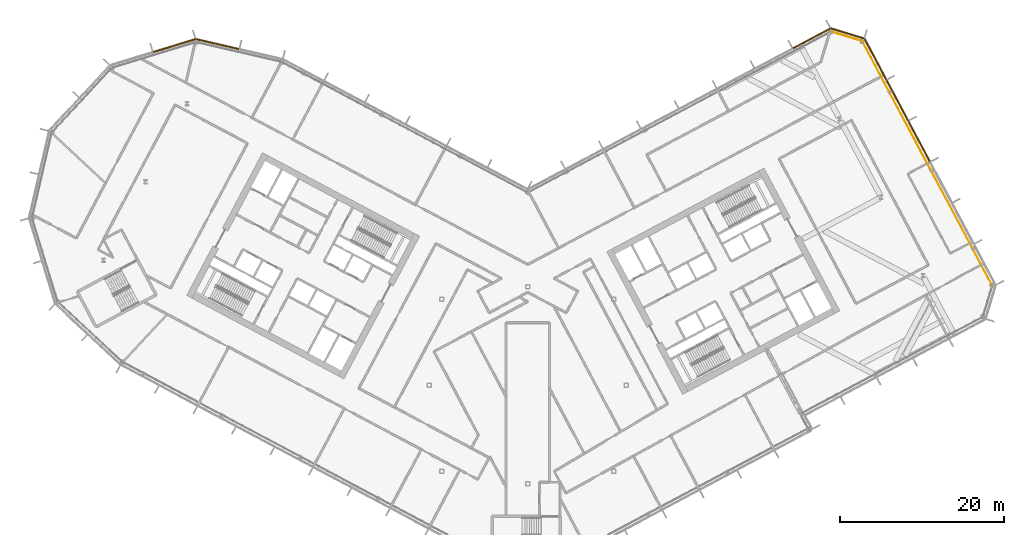
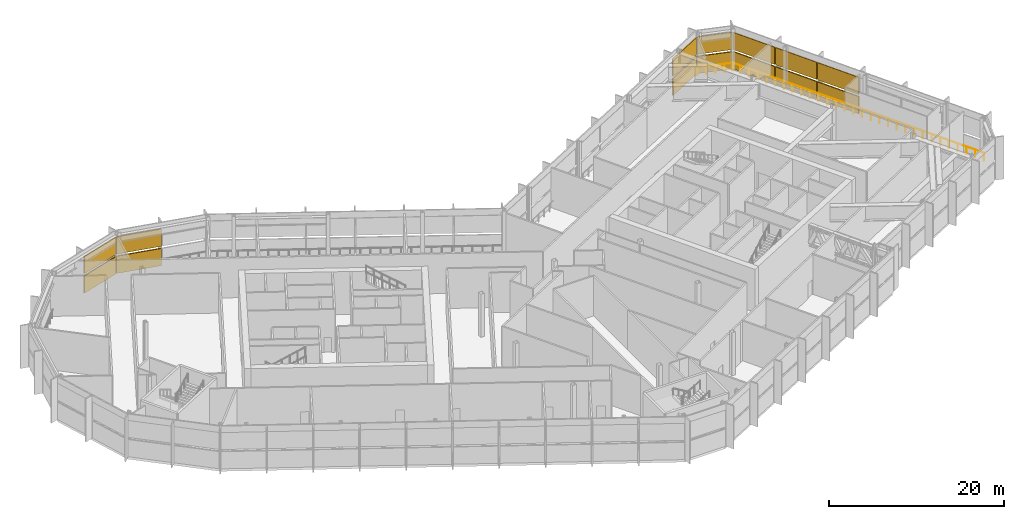
# One storey, part 33 of 33: 14 shading devices, 2 railings, 5 elements without a shape of their own.
"""IFC4 building model written with IfcOpenShell, lengths in metres."""

from ifc_helpers import new_model, si_unit, direction, frame, origin, origin_2d, place, context, subcontext, project, spatial, polyline, rectangle, outline, extrude, material, layer, layer_set, type_object, element, aggregate, save


model = new_model("IFC4")

# Units and contexts
model_context = context("Model", 3, precision=1e-05, world=origin(), true_north=direction((0.0, 1.0)))
body_context = subcontext(model_context, "Body", "Model", "MODEL_VIEW")
ifc_project = project(units=[si_unit("LENGTHUNIT", "METRE"), si_unit("AREAUNIT", "SQUARE_METRE"), si_unit("VOLUMEUNIT", "CUBIC_METRE"), si_unit("PLANEANGLEUNIT", "RADIAN"), si_unit("MASSUNIT", "GRAM", prefix="KILO")], contexts=[model_context])

# Site, building, storey
site_placement = place(None, origin())
site = spatial("IfcSite", under=ifc_project, at=site_placement, CompositionType="ELEMENT")
building_placement = place(site_placement, origin())
building = spatial("IfcBuilding", under=site, at=building_placement, Name="Cormorant Relay Tower", CompositionType="ELEMENT")
storey_placement = place(building_placement, frame((0.0, 0.0, 183.60009765625)))
storey = spatial("IfcBuildingStorey", under=building, at=storey_placement, Name="L39", CompositionType="ELEMENT", Elevation=183.60009765625)

# Railings
ifc_material_1 = material(Name="Stainless steel 316 guard", Category="steel")
railing_type = type_object("IfcRailingType", Name="Band louvre guard 1100", PredefinedType="GUARDRAIL", material=ifc_material_1)
railing_1_placement = place(storey_placement, frame((56.691650390625, 12.0224609375, 0.0)))
element("IfcRailing", 1, at=railing_1_placement, inside=storey, type_object=railing_type, Name="CW4 guard 6", PredefinedType="GUARDRAIL", context=body_context, shape_type="SweptSolid", body=[
    extrude(outline(polyline([(0.022216796875, 0.00927734375), (0.00927734375, 0.022216796875), (-0.00927734375, 0.022216796875), (-0.022216796875, 0.00927734375), (-0.022216796875, -0.00927734375), (-0.00927734375, -0.022216796875), (0.00927734375, -0.022216796875), (0.022216796875, -0.00927734375), (0.022216796875, 0.00927734375)])), frame((0.0, 0.0, 1.076171875), z_axis=(-0.469471254134, 0.882947756972, 0.0), x_axis=(-0.882947756972, -0.469471254134, 0.0)), (0.0, 0.0, 1.0), 33.999755859375),
    extrude(outline(polyline([(0.019287109375, 0.008056640625), (0.008056640625, 0.019287109375), (-0.008056640625, 0.019287109375), (-0.019287109375, 0.008056640625), (-0.019287109375, -0.008056640625), (-0.008056640625, -0.019287109375), (0.008056640625, -0.019287109375), (0.019287109375, -0.008056640625), (0.019287109375, 0.008056640625)])), origin(), (0.0, 0.0, 1.0), 1.052001953125),
    extrude(outline(polyline([(0.019287109375, 0.008056640625), (0.008056640625, 0.019287109375), (-0.008056640625, 0.019287109375), (-0.019287109375, 0.008056640625), (-0.019287109375, -0.008056640625), (-0.008056640625, -0.019287109375), (0.008056640625, -0.019287109375), (0.019287109375, -0.008056640625), (0.019287109375, 0.008056640625)])), frame((-0.55029296875, 1.03515625, 0.0)), (0.0, 0.0, 1.0), 1.052001953125),
    extrude(outline(polyline([(0.019287109375, 0.008056640625), (0.008056640625, 0.019287109375), (-0.008056640625, 0.019287109375), (-0.019287109375, 0.008056640625), (-0.019287109375, -0.008056640625), (-0.008056640625, -0.019287109375), (0.008056640625, -0.019287109375), (0.019287109375, -0.008056640625), (0.019287109375, 0.008056640625)])), frame((-1.100830078125, 2.0703125, 0.0)), (0.0, 0.0, 1.0), 1.052001953125),
    extrude(outline(polyline([(0.019287109375, 0.008056640625), (0.008056640625, 0.019287109375), (-0.008056640625, 0.019287109375), (-0.019287109375, 0.008056640625), (-0.019287109375, -0.008056640625), (-0.008056640625, -0.019287109375), (0.008056640625, -0.019287109375), (0.019287109375, -0.008056640625), (0.019287109375, 0.008056640625)])), frame((-1.651123046875, 3.10546875, 0.0)), (0.0, 0.0, 1.0), 1.052001953125),
    extrude(outline(polyline([(0.019287109375, 0.008056640625), (0.008056640625, 0.019287109375), (-0.008056640625, 0.019287109375), (-0.019287109375, 0.008056640625), (-0.019287109375, -0.008056640625), (-0.008056640625, -0.019287109375), (0.008056640625, -0.019287109375), (0.019287109375, -0.008056640625), (0.019287109375, 0.008056640625)])), frame((-2.20166015625, 4.140625, 0.0)), (0.0, 0.0, 1.0), 1.052001953125),
    extrude(outline(polyline([(0.019287109375, 0.008056640625), (0.008056640625, 0.019287109375), (-0.008056640625, 0.019287109375), (-0.019287109375, 0.008056640625), (-0.019287109375, -0.008056640625), (-0.008056640625, -0.019287109375), (0.008056640625, -0.019287109375), (0.019287109375, -0.008056640625), (0.019287109375, 0.008056640625)])), frame((-2.751953125, 5.17578125, 0.0)), (0.0, 0.0, 1.0), 1.052001953125),
    extrude(outline(polyline([(0.019287109375, 0.008056640625), (0.008056640625, 0.019287109375), (-0.008056640625, 0.019287109375), (-0.019287109375, 0.008056640625), (-0.019287109375, -0.008056640625), (-0.008056640625, -0.019287109375), (0.008056640625, -0.019287109375), (0.019287109375, -0.008056640625), (0.019287109375, 0.008056640625)])), frame((-3.302490234375, 6.2109375, 0.0)), (0.0, 0.0, 1.0), 1.052001953125),
    extrude(outline(polyline([(0.019287109375, 0.008056640625), (0.008056640625, 0.019287109375), (-0.008056640625, 0.019287109375), (-0.019287109375, 0.008056640625), (-0.019287109375, -0.008056640625), (-0.008056640625, -0.019287109375), (0.008056640625, -0.019287109375), (0.019287109375, -0.008056640625), (0.019287109375, 0.008056640625)])), frame((-3.852783203125, 7.24609375, 0.0)), (0.0, 0.0, 1.0), 1.052001953125),
    extrude(outline(polyline([(0.019287109375, 0.008056640625), (0.008056640625, 0.019287109375), (-0.008056640625, 0.019287109375), (-0.019287109375, 0.008056640625), (-0.019287109375, -0.008056640625), (-0.008056640625, -0.019287109375), (0.008056640625, -0.019287109375), (0.019287109375, -0.008056640625), (0.019287109375, 0.008056640625)])), frame((-4.4033203125, 8.281494140625, 0.0)), (0.0, 0.0, 1.0), 1.052001953125),
    extrude(outline(polyline([(0.019287109375, 0.008056640625), (0.008056640625, 0.019287109375), (-0.008056640625, 0.019287109375), (-0.019287109375, 0.008056640625), (-0.019287109375, -0.008056640625), (-0.008056640625, -0.019287109375), (0.008056640625, -0.019287109375), (0.019287109375, -0.008056640625), (0.019287109375, 0.008056640625)])), frame((-4.95361328125, 9.316650390625, 0.0)), (0.0, 0.0, 1.0), 1.052001953125),
    extrude(outline(polyline([(0.019287109375, 0.008056640625), (0.008056640625, 0.019287109375), (-0.008056640625, 0.019287109375), (-0.019287109375, 0.008056640625), (-0.019287109375, -0.008056640625), (-0.008056640625, -0.019287109375), (0.008056640625, -0.019287109375), (0.019287109375, -0.008056640625), (0.019287109375, 0.008056640625)])), frame((-5.504150390625, 10.351806640625, 0.0)), (0.0, 0.0, 1.0), 1.052001953125),
    extrude(outline(polyline([(0.019287109375, 0.008056640625), (0.008056640625, 0.019287109375), (-0.008056640625, 0.019287109375), (-0.019287109375, 0.008056640625), (-0.019287109375, -0.008056640625), (-0.008056640625, -0.019287109375), (0.008056640625, -0.019287109375), (0.019287109375, -0.008056640625), (0.019287109375, 0.008056640625)])), frame((-6.054443359375, 11.386962890625, 0.0)), (0.0, 0.0, 1.0), 1.052001953125),
    extrude(outline(polyline([(0.019287109375, 0.008056640625), (0.008056640625, 0.019287109375), (-0.008056640625, 0.019287109375), (-0.019287109375, 0.008056640625), (-0.019287109375, -0.008056640625), (-0.008056640625, -0.019287109375), (0.008056640625, -0.019287109375), (0.019287109375, -0.008056640625), (0.019287109375, 0.008056640625)])), frame((-6.60498046875, 12.422119140625, 0.0)), (0.0, 0.0, 1.0), 1.052001953125),
    extrude(outline(polyline([(0.019287109375, 0.008056640625), (0.008056640625, 0.019287109375), (-0.008056640625, 0.019287109375), (-0.019287109375, 0.008056640625), (-0.019287109375, -0.008056640625), (-0.008056640625, -0.019287109375), (0.008056640625, -0.019287109375), (0.019287109375, -0.008056640625), (0.019287109375, 0.008056640625)])), frame((-7.1552734375, 13.457275390625, 0.0)), (0.0, 0.0, 1.0), 1.052001953125),
    extrude(outline(polyline([(0.019287109375, 0.008056640625), (0.008056640625, 0.019287109375), (-0.008056640625, 0.019287109375), (-0.019287109375, 0.008056640625), (-0.019287109375, -0.008056640625), (-0.008056640625, -0.019287109375), (0.008056640625, -0.019287109375), (0.019287109375, -0.008056640625), (0.019287109375, 0.008056640625)])), frame((-7.705810546875, 14.492431640625, 0.0)), (0.0, 0.0, 1.0), 1.052001953125),
    extrude(outline(polyline([(0.019287109375, 0.008056640625), (0.008056640625, 0.019287109375), (-0.008056640625, 0.019287109375), (-0.019287109375, 0.008056640625), (-0.019287109375, -0.008056640625), (-0.008056640625, -0.019287109375), (0.008056640625, -0.019287109375), (0.019287109375, -0.008056640625), (0.019287109375, 0.008056640625)])), frame((-8.256103515625, 15.527587890625, 0.0)), (0.0, 0.0, 1.0), 1.052001953125),
    extrude(outline(polyline([(0.019287109375, 0.008056640625), (0.008056640625, 0.019287109375), (-0.008056640625, 0.019287109375), (-0.019287109375, 0.008056640625), (-0.019287109375, -0.008056640625), (-0.008056640625, -0.019287109375), (0.008056640625, -0.019287109375), (0.019287109375, -0.008056640625), (0.019287109375, 0.008056640625)])), frame((-8.806640625, 16.562744140625, 0.0)), (0.0, 0.0, 1.0), 1.052001953125),
    extrude(outline(polyline([(0.019287109375, 0.008056640625), (0.008056640625, 0.019287109375), (-0.008056640625, 0.019287109375), (-0.019287109375, 0.008056640625), (-0.019287109375, -0.008056640625), (-0.008056640625, -0.019287109375), (0.008056640625, -0.019287109375), (0.019287109375, -0.008056640625), (0.019287109375, 0.008056640625)])), frame((-9.35693359375, 17.597900390625, 0.0)), (0.0, 0.0, 1.0), 1.052001953125),
    extrude(outline(polyline([(0.019287109375, 0.008056640625), (0.008056640625, 0.019287109375), (-0.008056640625, 0.019287109375), (-0.019287109375, 0.008056640625), (-0.019287109375, -0.008056640625), (-0.008056640625, -0.019287109375), (0.008056640625, -0.019287109375), (0.019287109375, -0.008056640625), (0.019287109375, 0.008056640625)])), frame((-9.907470703125, 18.633056640625, 0.0)), (0.0, 0.0, 1.0), 1.052001953125),
    extrude(outline(polyline([(0.019287109375, 0.008056640625), (0.008056640625, 0.019287109375), (-0.008056640625, 0.019287109375), (-0.019287109375, 0.008056640625), (-0.019287109375, -0.008056640625), (-0.008056640625, -0.019287109375), (0.008056640625, -0.019287109375), (0.019287109375, -0.008056640625), (0.019287109375, 0.008056640625)])), frame((-10.457763671875, 19.668212890625, 0.0)), (0.0, 0.0, 1.0), 1.052001953125),
    extrude(outline(polyline([(0.019287109375, 0.008056640625), (0.008056640625, 0.019287109375), (-0.008056640625, 0.019287109375), (-0.019287109375, 0.008056640625), (-0.019287109375, -0.008056640625), (-0.008056640625, -0.019287109375), (0.008056640625, -0.019287109375), (0.019287109375, -0.008056640625), (0.019287109375, 0.008056640625)])), frame((-11.00830078125, 20.703369140625, 0.0)), (0.0, 0.0, 1.0), 1.052001953125),
    extrude(outline(polyline([(0.019287109375, 0.008056640625), (0.008056640625, 0.019287109375), (-0.008056640625, 0.019287109375), (-0.019287109375, 0.008056640625), (-0.019287109375, -0.008056640625), (-0.008056640625, -0.019287109375), (0.008056640625, -0.019287109375), (0.019287109375, -0.008056640625), (0.019287109375, 0.008056640625)])), frame((-11.55859375, 21.738525390625, 0.0)), (0.0, 0.0, 1.0), 1.052001953125),
    extrude(outline(polyline([(0.019287109375, 0.008056640625), (0.008056640625, 0.019287109375), (-0.008056640625, 0.019287109375), (-0.019287109375, 0.008056640625), (-0.019287109375, -0.008056640625), (-0.008056640625, -0.019287109375), (0.008056640625, -0.019287109375), (0.019287109375, -0.008056640625), (0.019287109375, 0.008056640625)])), frame((-12.109130859375, 22.77392578125, 0.0)), (0.0, 0.0, 1.0), 1.052001953125),
    extrude(outline(polyline([(0.019287109375, 0.008056640625), (0.008056640625, 0.019287109375), (-0.008056640625, 0.019287109375), (-0.019287109375, 0.008056640625), (-0.019287109375, -0.008056640625), (-0.008056640625, -0.019287109375), (0.008056640625, -0.019287109375), (0.019287109375, -0.008056640625), (0.019287109375, 0.008056640625)])), frame((-12.659423828125, 23.80908203125, 0.0)), (0.0, 0.0, 1.0), 1.052001953125),
    extrude(outline(polyline([(0.019287109375, 0.008056640625), (0.008056640625, 0.019287109375), (-0.008056640625, 0.019287109375), (-0.019287109375, 0.008056640625), (-0.019287109375, -0.008056640625), (-0.008056640625, -0.019287109375), (0.008056640625, -0.019287109375), (0.019287109375, -0.008056640625), (0.019287109375, 0.008056640625)])), frame((-13.2099609375, 24.84423828125, 0.0)), (0.0, 0.0, 1.0), 1.052001953125),
    extrude(outline(polyline([(0.019287109375, 0.008056640625), (0.008056640625, 0.019287109375), (-0.008056640625, 0.019287109375), (-0.019287109375, 0.008056640625), (-0.019287109375, -0.008056640625), (-0.008056640625, -0.019287109375), (0.008056640625, -0.019287109375), (0.019287109375, -0.008056640625), (0.019287109375, 0.008056640625)])), frame((-13.76025390625, 25.87939453125, 0.0)), (0.0, 0.0, 1.0), 1.052001953125),
    extrude(outline(polyline([(0.019287109375, 0.008056640625), (0.008056640625, 0.019287109375), (-0.008056640625, 0.019287109375), (-0.019287109375, 0.008056640625), (-0.019287109375, -0.008056640625), (-0.008056640625, -0.019287109375), (0.008056640625, -0.019287109375), (0.019287109375, -0.008056640625), (0.019287109375, 0.008056640625)])), frame((-14.310791015625, 26.91455078125, 0.0)), (0.0, 0.0, 1.0), 1.052001953125),
    extrude(outline(polyline([(0.019287109375, 0.008056640625), (0.008056640625, 0.019287109375), (-0.008056640625, 0.019287109375), (-0.019287109375, 0.008056640625), (-0.019287109375, -0.008056640625), (-0.008056640625, -0.019287109375), (0.008056640625, -0.019287109375), (0.019287109375, -0.008056640625), (0.019287109375, 0.008056640625)])), frame((-14.861083984375, 27.94970703125, 0.0)), (0.0, 0.0, 1.0), 1.052001953125),
    extrude(outline(polyline([(0.019287109375, 0.008056640625), (0.008056640625, 0.019287109375), (-0.008056640625, 0.019287109375), (-0.019287109375, 0.008056640625), (-0.019287109375, -0.008056640625), (-0.008056640625, -0.019287109375), (0.008056640625, -0.019287109375), (0.019287109375, -0.008056640625), (0.019287109375, 0.008056640625)])), frame((-15.41162109375, 28.98486328125, 0.0)), (0.0, 0.0, 1.0), 1.052001953125),
    extrude(outline(polyline([(0.019287109375, 0.008056640625), (0.008056640625, 0.019287109375), (-0.008056640625, 0.019287109375), (-0.019287109375, 0.008056640625), (-0.019287109375, -0.008056640625), (-0.008056640625, -0.019287109375), (0.008056640625, -0.019287109375), (0.019287109375, -0.008056640625), (0.019287109375, 0.008056640625)])), frame((-15.9619140625, 30.02001953125, 0.0)), (0.0, 0.0, 1.0), 1.052001953125),
])
railing_2_placement = place(storey_placement, frame((40.906982421875, 41.896484375, 0.0)))
element("IfcRailing", 2, at=railing_2_placement, inside=storey, type_object=railing_type, Name="CW4 guard 7", PredefinedType="GUARDRAIL", context=body_context, shape_type="SweptSolid", body=[
    extrude(outline(polyline([(0.022216796875, 0.00927734375), (0.00927734375, 0.022216796875), (-0.00927734375, 0.022216796875), (-0.022216796875, 0.00927734375), (-0.022216796875, -0.00927734375), (-0.00927734375, -0.022216796875), (0.00927734375, -0.022216796875), (0.022216796875, -0.00927734375), (0.022216796875, 0.00927734375)])), frame((0.0, 0.0, 1.076171875), z_axis=(-0.956303761594, 0.292374957137, 0.0), x_axis=(-0.292374957137, -0.956303761594, 0.0)), (0.0, 0.0, 1.0), 4.24267578125),
    extrude(outline(polyline([(0.019287109375, 0.008056640625), (0.008056640625, 0.019287109375), (-0.008056640625, 0.019287109375), (-0.019287109375, 0.008056640625), (-0.019287109375, -0.008056640625), (-0.008056640625, -0.019287109375), (0.008056640625, -0.019287109375), (0.019287109375, -0.008056640625), (0.019287109375, 0.008056640625)])), origin(), (0.0, 0.0, 1.0), 1.052001953125),
    extrude(outline(polyline([(0.019287109375, 0.008056640625), (0.008056640625, 0.019287109375), (-0.008056640625, 0.019287109375), (-0.019287109375, 0.008056640625), (-0.019287109375, -0.008056640625), (-0.008056640625, -0.019287109375), (0.008056640625, -0.019287109375), (0.019287109375, -0.008056640625), (0.019287109375, 0.008056640625)])), frame((-1.014404296875, 0.31005859375, 0.0)), (0.0, 0.0, 1.0), 1.052001953125),
    extrude(outline(polyline([(0.019287109375, 0.008056640625), (0.008056640625, 0.019287109375), (-0.008056640625, 0.019287109375), (-0.019287109375, 0.008056640625), (-0.019287109375, -0.008056640625), (-0.008056640625, -0.019287109375), (0.008056640625, -0.019287109375), (0.019287109375, -0.008056640625), (0.019287109375, 0.008056640625)])), frame((-2.02880859375, 0.6201171875, 0.0)), (0.0, 0.0, 1.0), 1.052001953125),
    extrude(outline(polyline([(0.019287109375, 0.008056640625), (0.008056640625, 0.019287109375), (-0.008056640625, 0.019287109375), (-0.019287109375, 0.008056640625), (-0.019287109375, -0.008056640625), (-0.008056640625, -0.019287109375), (0.008056640625, -0.019287109375), (0.019287109375, -0.008056640625), (0.019287109375, 0.008056640625)])), frame((-3.04296875, 0.930419921875, 0.0)), (0.0, 0.0, 1.0), 1.052001953125),
    extrude(outline(polyline([(0.019287109375, 0.008056640625), (0.008056640625, 0.019287109375), (-0.008056640625, 0.019287109375), (-0.019287109375, 0.008056640625), (-0.019287109375, -0.008056640625), (-0.008056640625, -0.019287109375), (0.008056640625, -0.019287109375), (0.019287109375, -0.008056640625), (0.019287109375, 0.008056640625)])), frame((-4.057373046875, 1.240478515625, 0.0)), (0.0, 0.0, 1.0), 1.052001953125),
])

# Curtain wall, shading devices
ifc_material_2 = material(Name="Aluminium 6063-T6 anodised bronze", Category="aluminium")
ifc_layer = layer(ifc_material_2, 0.199951171875)
ifc_layer_set = layer_set([ifc_layer], Name="CW4 band louvre wall")
curtain_wall_type = type_object("IfcCurtainWallType", Name="CW4 band louvre wall", PredefinedType="NOTDEFINED", material=ifc_layer_set)
curtain_wall_1_placement = place(storey_placement, origin())
curtain_wall_1 = element("IfcCurtainWall", 3, at=curtain_wall_1_placement, inside=storey, type_object=curtain_wall_type, Name="CW4 curtain wall 6", PredefinedType="NOTDEFINED")
ifc_material_3 = material(Name="Aluminium 6063-T6 anodised bronze louvre", Category="aluminium")
shading_device_type = type_object("IfcShadingDeviceType", Name="CW4 bronze louvre bank 150 x 2400", PredefinedType="USERDEFINED", material=ifc_material_3)
shading_device_1_placement = place(storey_placement, frame((47.711669921875, 29.710205078125, 2.699951171875), z_axis=(0.0, 0.0, 1.0), x_axis=(-0.469471562786, 0.882947592859, 0.0)))
shading_device_1 = element("IfcShadingDevice", 4, at=shading_device_1_placement, type_object=shading_device_type, Name="CW4 louvre bank U6.4", ObjectType="LOUVRE", PredefinedType="USERDEFINED", context=body_context, shape_type="SweptSolid", body=[
    extrude(rectangle(XDim=5.5166015625, YDim=0.14990234375, at=origin_2d()), origin(), (0.0, 0.0, 1.0), 2.39990234375),
])
shading_device_2_placement = place(storey_placement, frame((47.711669921875, 29.710205078125, 0.0), z_axis=(0.0, 0.0, 1.0), x_axis=(-0.469471562786, 0.882947592859, 0.0)))
shading_device_2 = element("IfcShadingDevice", 5, at=shading_device_2_placement, type_object=shading_device_type, Name="CW4 louvre bank D6.4", ObjectType="LOUVRE", PredefinedType="USERDEFINED", context=body_context, shape_type="SweptSolid", body=[
    extrude(rectangle(XDim=5.5166015625, YDim=0.14990234375, at=origin_2d()), origin(), (0.0, 0.0, 1.0), 2.39990234375),
])
shading_device_3_placement = place(storey_placement, frame((45.05126953125, 34.713623046875, 2.699951171875), z_axis=(0.0, 0.0, 1.0), x_axis=(-0.469471562786, 0.882947592859, 0.0)))
shading_device_3 = element("IfcShadingDevice", 6, at=shading_device_3_placement, type_object=shading_device_type, Name="CW4 louvre bank U6.5", ObjectType="LOUVRE", PredefinedType="USERDEFINED", context=body_context, shape_type="SweptSolid", body=[
    extrude(rectangle(XDim=5.5166015625, YDim=0.14990234375, at=origin_2d()), origin(), (0.0, 0.0, 1.0), 2.39990234375),
])
shading_device_4_placement = place(storey_placement, frame((45.05126953125, 34.713623046875, 0.0), z_axis=(0.0, 0.0, 1.0), x_axis=(-0.469471562786, 0.882947592859, 0.0)))
shading_device_4 = element("IfcShadingDevice", 7, at=shading_device_4_placement, type_object=shading_device_type, Name="CW4 louvre bank D6.5", ObjectType="LOUVRE", PredefinedType="USERDEFINED", context=body_context, shape_type="SweptSolid", body=[
    extrude(rectangle(XDim=5.5166015625, YDim=0.14990234375, at=origin_2d()), origin(), (0.0, 0.0, 1.0), 2.39990234375),
])
shading_device_5_placement = place(storey_placement, frame((42.373291015625, 39.75, 2.699951171875), z_axis=(0.0, 0.0, 1.0), x_axis=(-0.469471562786, 0.882947592859, 0.0)))
shading_device_5 = element("IfcShadingDevice", 8, at=shading_device_5_placement, type_object=shading_device_type, Name="CW4 louvre bank U6.6", ObjectType="LOUVRE", PredefinedType="USERDEFINED", context=body_context, shape_type="SweptSolid", body=[
    extrude(rectangle(XDim=5.591796875, YDim=0.14990234375, at=origin_2d()), origin(), (0.0, 0.0, 1.0), 2.39990234375),
])
shading_device_6_placement = place(storey_placement, frame((42.373291015625, 39.75, 0.0), z_axis=(0.0, 0.0, 1.0), x_axis=(-0.469471562786, 0.882947592859, 0.0)))
shading_device_6 = element("IfcShadingDevice", 9, at=shading_device_6_placement, type_object=shading_device_type, Name="CW4 louvre bank D6.6", ObjectType="LOUVRE", PredefinedType="USERDEFINED", context=body_context, shape_type="SweptSolid", body=[
    extrude(rectangle(XDim=5.591796875, YDim=0.14990234375, at=origin_2d()), origin(), (0.0, 0.0, 1.0), 2.39990234375),
])
aggregate(curtain_wall_1, [shading_device_1, shading_device_2, shading_device_3, shading_device_4, shading_device_5, shading_device_6])

curtain_wall_2_placement = place(storey_placement, origin())
curtain_wall_2 = element("IfcCurtainWall", 10, at=curtain_wall_2_placement, inside=storey, type_object=curtain_wall_type, Name="CW4 curtain wall 7", PredefinedType="NOTDEFINED")
shading_device_7_placement = place(storey_placement, frame((38.951904296875, 42.886474609375, 2.699951171875), z_axis=(0.0, 0.0, 1.0), x_axis=(-0.956304755963, 0.292371704723, 0.0)))
shading_device_7 = element("IfcShadingDevice", 11, at=shading_device_7_placement, type_object=shading_device_type, Name="CW4 louvre bank U7.1", ObjectType="LOUVRE", PredefinedType="USERDEFINED", context=body_context, shape_type="SweptSolid", body=[
    extrude(rectangle(XDim=4.16748046875, YDim=0.14990234375, at=origin_2d()), origin(), (0.0, 0.0, 1.0), 2.39990234375),
])
shading_device_8_placement = place(storey_placement, frame((38.951904296875, 42.886474609375, 0.0), z_axis=(0.0, 0.0, 1.0), x_axis=(-0.956304755963, 0.292371704723, 0.0)))
shading_device_8 = element("IfcShadingDevice", 12, at=shading_device_8_placement, type_object=shading_device_type, Name="CW4 louvre bank D7.1", ObjectType="LOUVRE", PredefinedType="USERDEFINED", context=body_context, shape_type="SweptSolid", body=[
    extrude(rectangle(XDim=4.16748046875, YDim=0.14990234375, at=origin_2d()), origin(), (0.0, 0.0, 1.0), 2.39990234375),
])
aggregate(curtain_wall_2, [shading_device_7, shading_device_8])

curtain_wall_3_placement = place(storey_placement, origin())
curtain_wall_3 = element("IfcCurtainWall", 13, at=curtain_wall_3_placement, inside=storey, type_object=curtain_wall_type, Name="CW4 curtain wall 8", PredefinedType="NOTDEFINED")
shading_device_9_placement = place(storey_placement, frame((34.593505859375, 42.2626953125, 2.699951171875), z_axis=(0.0, 0.0, 1.0), x_axis=(-0.882947592859, -0.469471562786, 0.0)))
shading_device_9 = element("IfcShadingDevice", 14, at=shading_device_9_placement, type_object=shading_device_type, Name="CW4 louvre bank U8.1", ObjectType="LOUVRE", PredefinedType="USERDEFINED", context=body_context, shape_type="SweptSolid", body=[
    extrude(rectangle(XDim=5.079345703125, YDim=0.14990234375, at=origin_2d()), origin(), (0.0, 0.0, 1.0), 2.39990234375),
])
shading_device_10_placement = place(storey_placement, frame((34.593505859375, 42.2626953125, 0.0), z_axis=(0.0, 0.0, 1.0), x_axis=(-0.882947592859, -0.469471562786, 0.0)))
shading_device_10 = element("IfcShadingDevice", 15, at=shading_device_10_placement, type_object=shading_device_type, Name="CW4 louvre bank D8.1", ObjectType="LOUVRE", PredefinedType="USERDEFINED", context=body_context, shape_type="SweptSolid", body=[
    extrude(rectangle(XDim=5.079345703125, YDim=0.14990234375, at=origin_2d()), origin(), (0.0, 0.0, 1.0), 2.39990234375),
])
aggregate(curtain_wall_3, [shading_device_9, shading_device_10])

curtain_wall_4_placement = place(storey_placement, origin())
curtain_wall_4 = element("IfcCurtainWall", 16, at=curtain_wall_4_placement, inside=storey, type_object=curtain_wall_type, Name="CW4 curtain wall 10", PredefinedType="NOTDEFINED")
shading_device_11_placement = place(storey_placement, frame((-37.83740234375, 41.58349609375, 2.699951171875), z_axis=(0.0, 0.0, 1.0), x_axis=(-0.974370064785, 0.224951054344, 0.0)))
shading_device_11 = element("IfcShadingDevice", 17, at=shading_device_11_placement, type_object=shading_device_type, Name="CW4 louvre bank U10.2", ObjectType="LOUVRE", PredefinedType="USERDEFINED", context=body_context, shape_type="SweptSolid", body=[
    extrude(rectangle(XDim=5.360107421875, YDim=0.14990234375, at=origin_2d()), origin(), (0.0, 0.0, 1.0), 2.39990234375),
])
shading_device_12_placement = place(storey_placement, frame((-37.83740234375, 41.58349609375, 0.0), z_axis=(0.0, 0.0, 1.0), x_axis=(-0.974370064785, 0.224951054344, 0.0)))
shading_device_12 = element("IfcShadingDevice", 18, at=shading_device_12_placement, type_object=shading_device_type, Name="CW4 louvre bank D10.2", ObjectType="LOUVRE", PredefinedType="USERDEFINED", context=body_context, shape_type="SweptSolid", body=[
    extrude(rectangle(XDim=5.360107421875, YDim=0.14990234375, at=origin_2d()), origin(), (0.0, 0.0, 1.0), 2.39990234375),
])
aggregate(curtain_wall_4, [shading_device_11, shading_device_12])

curtain_wall_5_placement = place(storey_placement, origin())
curtain_wall_5 = element("IfcCurtainWall", 19, at=curtain_wall_5_placement, inside=storey, type_object=curtain_wall_type, Name="CW4 curtain wall 11", PredefinedType="NOTDEFINED")
shading_device_13_placement = place(storey_placement, frame((-43.086181640625, 41.390625, 2.699951171875), z_axis=(0.0, 0.0, 1.0), x_axis=(-0.956304755963, -0.292371704723, 0.0)))
shading_device_13 = element("IfcShadingDevice", 20, at=shading_device_13_placement, type_object=shading_device_type, Name="CW4 louvre bank U11.1", ObjectType="LOUVRE", PredefinedType="USERDEFINED", context=body_context, shape_type="SweptSolid", body=[
    extrude(rectangle(XDim=5.28515625, YDim=0.14990234375, at=origin_2d()), origin(), (0.0, 0.0, 1.0), 2.39990234375),
])
shading_device_14_placement = place(storey_placement, frame((-43.086181640625, 41.390625, 0.0), z_axis=(0.0, 0.0, 1.0), x_axis=(-0.956304755963, -0.292371704723, 0.0)))
shading_device_14 = element("IfcShadingDevice", 21, at=shading_device_14_placement, type_object=shading_device_type, Name="CW4 louvre bank D11.1", ObjectType="LOUVRE", PredefinedType="USERDEFINED", context=body_context, shape_type="SweptSolid", body=[
    extrude(rectangle(XDim=5.28515625, YDim=0.14990234375, at=origin_2d()), origin(), (0.0, 0.0, 1.0), 2.39990234375),
])
aggregate(curtain_wall_5, [shading_device_13, shading_device_14])

save(model, "model.ifc")
